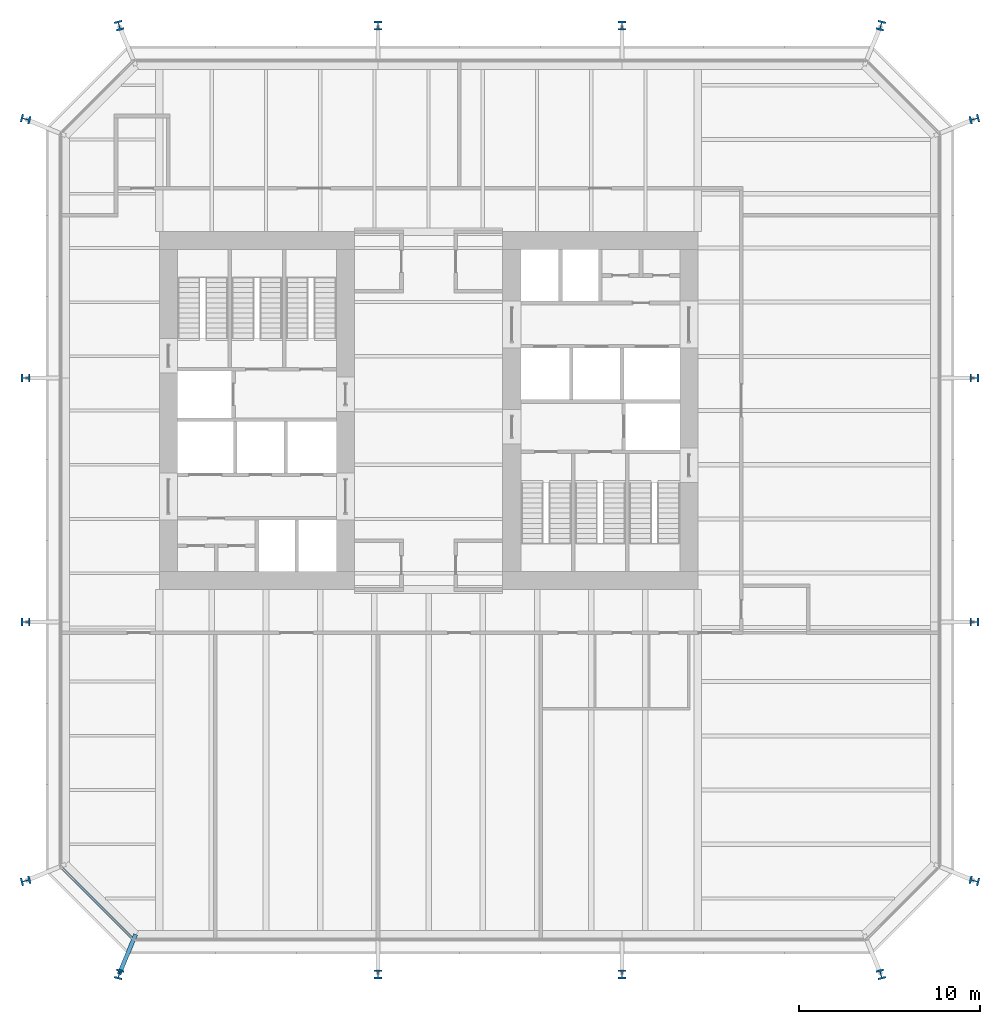
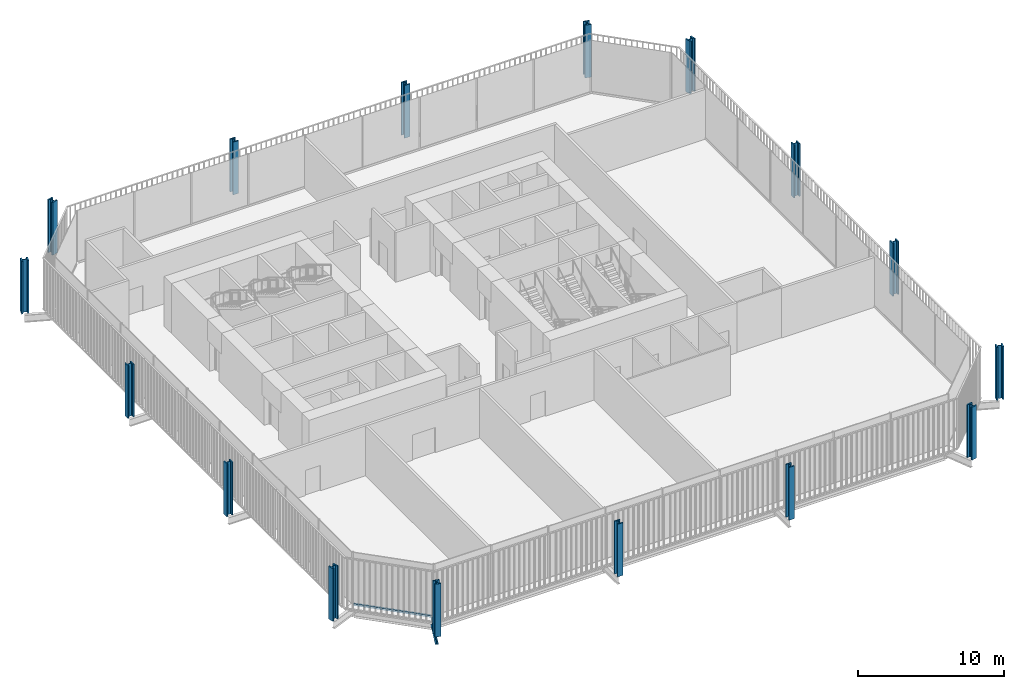
# One storey, part 1 of 20: 16 columns, 1 beam, 1 member, 1 element without a shape of its own.
"""IFC4 building model written with IfcOpenShell, lengths in metres."""

import ifcopenshell
import ifcopenshell.guid

model = None  # the IFC model being written
_history = None  # IfcOwnerHistory: only IFC2X3 demands one
_inside = {}  # id of a spatial element -> (the spatial element, [elements in it])
_under = {}  # id of a project, library or spatial element -> (it, [spatial elements below it])
_declared = {}  # id of a project -> (the project, [libraries it declares])
_typed = {}  # id of a type object -> (the type object, [elements of that type])
_made_of = {}  # id of a material, layer set ... -> (it, [elements and type objects made of it])


def new_model(schema):
    """Start an empty IFC model of exactly this schema.

    Asked for "IFC4X3", IfcOpenShell would pick the latest addendum, in which some entities
    have other attributes; the version numbers below select the first issue.
    IFC2X3 requires an IfcOwnerHistory on every rooted entity: one is made here for all.
    """
    global model, _history
    if schema == "IFC4X3":
        model = ifcopenshell.file(schema_version=(4, 3, 0, 0))
    else:
        model = ifcopenshell.file(schema=schema)
    _inside.clear()
    _under.clear()
    _declared.clear()
    _typed.clear()
    _made_of.clear()
    _history = None
    if model.schema == "IFC2X3":
        org = make("IfcOrganization", Name="unknown")
        user = make(
            "IfcPersonAndOrganization",
            ThePerson=make("IfcPerson", FamilyName="unknown"),
            TheOrganization=org,
        )
        app = make(
            "IfcApplication",
            ApplicationDeveloper=org,
            Version="unknown",
            ApplicationFullName="unknown",
            ApplicationIdentifier="unknown",
        )
        _history = make(
            "IfcOwnerHistory",
            OwningUser=user,
            OwningApplication=app,
            ChangeAction="ADDED",
            CreationDate=0,
        )
    return model


def make(cls, **values):
    """One entity of the class cls with the attributes given. An attribute that is None is left unset."""
    return model.create_entity(
        cls, **{name: value for name, value in values.items() if value is not None}
    )


def rooted(cls, **values):
    """An entity with a GlobalId (a new one), such as an element, a storey or a relation."""
    return make(cls, GlobalId=ifcopenshell.guid.new(), OwnerHistory=_history, **values)


def si_unit(unit_type, name, prefix=None):
    """IfcSIUnit, for example si_unit("LENGTHUNIT", "METRE", prefix="MILLI")."""
    return make("IfcSIUnit", UnitType=unit_type, Prefix=prefix, Name=name)


def assignment(units):
    """IfcUnitAssignment: the units of a project."""
    return None if units is None else make("IfcUnitAssignment", Units=units)


def point(xyz):
    """IfcCartesianPoint."""
    return None if xyz is None else make("IfcCartesianPoint", Coordinates=xyz)


def direction(xyz):
    """IfcDirection."""
    return None if xyz is None else make("IfcDirection", DirectionRatios=xyz)


def frame(location, z_axis=None, x_axis=None):
    """IfcAxis2Placement3D, a coordinate frame: its origin and axes. An axis left out is left unset."""
    return make(
        "IfcAxis2Placement3D",
        Location=point(location),
        Axis=direction(z_axis),
        RefDirection=direction(x_axis),
    )


def frame_2d(location, x_axis=None):
    """IfcAxis2Placement2D, a coordinate frame in the plane: its origin and x axis."""
    return make(
        "IfcAxis2Placement2D", Location=point(location), RefDirection=direction(x_axis)
    )


def origin():
    """The frame at (0, 0, 0) with its axes left unset."""
    return frame((0.0, 0.0, 0.0))


def origin_2d():
    """The frame at (0, 0) in the plane with its x axis left unset."""
    return frame_2d((0.0, 0.0))


def place(relative_to, where):
    """IfcLocalPlacement: puts the frame where relative to a parent placement (None: the world)."""
    return make(
        "IfcLocalPlacement", PlacementRelTo=relative_to, RelativePlacement=where
    )


def context(
    kind, dimensions, precision=None, world=None, true_north=None, identifier=None
):
    """IfcGeometricRepresentationContext, for example the 3D "Model" context."""
    return make(
        "IfcGeometricRepresentationContext",
        ContextIdentifier=identifier,
        ContextType=kind,
        CoordinateSpaceDimension=dimensions,
        Precision=precision,
        WorldCoordinateSystem=world,
        TrueNorth=true_north,
    )


def subcontext(parent, identifier, kind, view, scale=None):
    """IfcGeometricRepresentationSubContext, for example "Body" below "Model"."""
    return make(
        "IfcGeometricRepresentationSubContext",
        ContextIdentifier=identifier,
        ContextType=kind,
        ParentContext=parent,
        TargetScale=scale,
        TargetView=view,
    )


def project(units=None, contexts=None):
    """IfcProject with its units and contexts."""
    return rooted(
        "IfcProject",
        Name="project",
        RepresentationContexts=contexts,
        UnitsInContext=assignment(units),
    )


def spatial(cls, under=None, at=None, **own):
    """A site, building, storey or space (cls), placed at a placement, below another one or the project."""
    s = rooted(cls, ObjectPlacement=at, **own)
    if under is not None:
        _under.setdefault(under.id(), (under, []))[1].append(s)
    return s


def profile(cls, at=None, kind="AREA", **sizes):
    """A parametric profile (cls). Its sizes go by their IFC names, for example OverallWidth=200.0."""
    return make(cls, ProfileType=kind, Position=at, **sizes)


def rectangle(**sizes):
    """IfcRectangleProfileDef."""
    return profile("IfcRectangleProfileDef", **sizes)


def i_section(**sizes):
    """IfcIShapeProfileDef."""
    return profile("IfcIShapeProfileDef", **sizes)


def extrude(swept, where, along, depth):
    """IfcExtrudedAreaSolid: the profile swept, set in the frame where, extruded along a direction by depth."""
    return make(
        "IfcExtrudedAreaSolid",
        SweptArea=swept,
        Position=where,
        ExtrudedDirection=direction(along),
        Depth=depth,
    )


def shape(context_of_items, identifier, shape_type, items):
    """IfcShapeRepresentation: the items that make up one representation, for example the "Body"."""
    return make(
        "IfcShapeRepresentation",
        ContextOfItems=context_of_items,
        RepresentationIdentifier=identifier,
        RepresentationType=shape_type,
        Items=items,
    )


def material(Name=None, Category=None):
    """IfcMaterial."""
    return make("IfcMaterial", Name=Name, Category=Category)


def layer(
    of_material, thickness, ventilated=None, Name=None, Category=None, Priority=None
):
    """IfcMaterialLayer: one layer of a wall or slab, of a material (None: an air gap)."""
    return make(
        "IfcMaterialLayer",
        Material=of_material,
        LayerThickness=thickness,
        IsVentilated=ventilated,
        Name=Name,
        Category=Category,
        Priority=Priority,
    )


def layer_set(layers, Name=None):
    """IfcMaterialLayerSet."""
    return make("IfcMaterialLayerSet", MaterialLayers=layers, LayerSetName=Name)


def material_profile(
    of_material, cross_section, Name=None, Category=None, Priority=None
):
    """IfcMaterialProfile: a cross section and its material."""
    return make(
        "IfcMaterialProfile",
        Name=Name,
        Material=of_material,
        Profile=cross_section,
        Priority=Priority,
        Category=Category,
    )


def profile_set(profiles, Name=None, composite=None):
    """IfcMaterialProfileSet."""
    return make(
        "IfcMaterialProfileSet",
        Name=Name,
        MaterialProfiles=profiles,
        CompositeProfile=composite,
    )


def made_of(thing, what):
    """Note that an element or type object is made of a material, layer set ...; save() writes the relation."""
    if what is not None:
        _made_of.setdefault(what.id(), (what, []))[1].append(thing)
    return thing


def type_object(cls, material=None, **own):
    """A type object (cls), such as IfcWallType, which elements share."""
    return made_of(rooted(cls, **own), material)


def element(
    cls,
    number,
    at=None,
    inside=None,
    cuts=None,
    type_object=None,
    material=None,
    context=None,
    identifier="Body",
    shape_type=None,
    held_by="IfcProductDefinitionShape",
    body=None,
    shapes=None,
    **own,
):
    """One element of the class cls, such as IfcWall. Its Tag is "e" and its number.

    at: its placement. inside: the storey or other place that contains it. cuts: it is an
    opening in that element (IfcRelVoidsElement). A single representation is given by context,
    identifier, shape_type and body (its items); several are given by shapes. held_by: the class
    of the entity that holds the representations. save() writes the other relations.
    """
    e = rooted(cls, Tag="e%d" % number, ObjectPlacement=at, **own)
    if body is not None:
        shapes = [shape(context, identifier, shape_type, body)]
    if shapes is not None:
        e.Representation = make(held_by, Representations=shapes)
    if inside is not None:
        _inside.setdefault(inside.id(), (inside, []))[1].append(e)
    if cuts is not None:
        rooted(
            "IfcRelVoidsElement", RelatingBuildingElement=cuts, RelatedOpeningElement=e
        )
    if type_object is not None:
        _typed.setdefault(type_object.id(), (type_object, []))[1].append(e)
    return made_of(e, material)


def aggregate(whole, parts):
    """IfcRelAggregates: a whole, such as a stair, and the parts it consists of."""
    return rooted("IfcRelAggregates", RelatingObject=whole, RelatedObjects=parts)


def save(model, path):
    """Write the relations noted so far, then the file.

    IfcRelAggregates (storeys below a building ...), IfcRelContainedInSpatialStructure (elements
    in a storey), IfcRelDefinesByType, IfcRelAssociatesMaterial and IfcRelDeclares: one each for
    every whole, place, type object, material and project.
    """
    for whole, parts in _under.values():
        aggregate(whole, parts)
    for where, things in _inside.values():
        rooted(
            "IfcRelContainedInSpatialStructure",
            RelatedElements=things,
            RelatingStructure=where,
        )
    for kind, things in _typed.values():
        rooted("IfcRelDefinesByType", RelatedObjects=things, RelatingType=kind)
    for what, things in _made_of.values():
        rooted("IfcRelAssociatesMaterial", RelatedObjects=things, RelatingMaterial=what)
    for by, libraries in _declared.values():
        rooted("IfcRelDeclares", RelatingContext=by, RelatedDefinitions=libraries)
    model.write(path)


model = new_model("IFC4")

# Units and contexts
model_context = context("Model", 3, precision=1e-05, world=origin(), true_north=direction((0.0, 1.0)))
body_context = subcontext(model_context, "Body", "Model", "MODEL_VIEW")
ifc_project = project(units=[si_unit("LENGTHUNIT", "METRE"), si_unit("AREAUNIT", "SQUARE_METRE"), si_unit("VOLUMEUNIT", "CUBIC_METRE"), si_unit("PLANEANGLEUNIT", "RADIAN"), si_unit("MASSUNIT", "GRAM", prefix="KILO")], contexts=[model_context])

# Site, building, storey
site_placement = place(None, origin())
site = spatial("IfcSite", under=ifc_project, at=site_placement, CompositionType="ELEMENT")
building_placement = place(site_placement, origin())
building = spatial("IfcBuilding", under=site, at=building_placement, Name="Millrace Tower", CompositionType="ELEMENT")
storey_placement = place(building_placement, frame((0.0, 0.0, 108.39990234375)))
storey = spatial("IfcBuildingStorey", under=building, at=storey_placement, Name="L24", CompositionType="ELEMENT", Elevation=108.39990234375)

# Columns
ifc_material_1 = material(Name="Steel ASTM A913 Grade 65", Category="steel")
ifc_material_profile_1 = material_profile(ifc_material_1, i_section(OverallWidth=0.431884765625, OverallDepth=0.497802734375, WebThickness=0.0556640625, FlangeThickness=0.0888671875, FilletRadius=0.01513671875, at=origin_2d()))
ifc_profile_set_1 = profile_set([ifc_material_profile_1], Name="Steel ASTM A913 Grade 65")
column_type_1 = type_object("IfcColumnType", Name="Exoskeleton column W14x500", PredefinedType="COLUMN", material=ifc_profile_set_1)
for number, where, z_axis, x_axis, name in (
    (1, (-2.800048828125, -31.199951171875, 0.0), (0.0, 0.0, 1.0), (1.0, 0.0, 0.0), "COL-B-L24-X03"),
    (2, (10.699951171875, -31.199951171875, 0.0), (0.0, 0.0, 1.0), (1.0, 0.0, 0.0), "COL-B-L24-X04"),
    (3, (30.199951171875, -11.699951171875, 0.0), (0.0, 0.0, 1.0), (0.0, 1.0, 0.0), "COL-B-L24-X07"),
    (4, (30.199951171875, 1.800048828125, 0.0), (0.0, 0.0, 1.0), (0.0, 1.0, 0.0), "COL-B-L24-X08"),
    (5, (10.699951171875, 21.300048828125, 0.0), (0.0, 0.0, 1.0), (-1.0, 0.0, 0.0), "COL-B-L24-X11"),
    (6, (-2.800048828125, 21.300048828125, 0.0), (0.0, 0.0, 1.0), (-1.0, 0.0, 0.0), "COL-B-L24-X12"),
    (7, (-22.300048828125, 1.800048828125, 0.0), (0.0, 0.0, 1.0), (0.0, -1.0, 0.0), "COL-B-L24-X15"),
    (8, (-22.300048828125, -11.699951171875, 0.0), (0.0, 0.0, 1.0), (0.0, -1.0, 0.0), "COL-B-L24-X16"),
):
    element("IfcColumn", number, at=place(storey_placement, frame(where, z_axis=z_axis, x_axis=x_axis)), inside=storey, type_object=column_type_1, Name=name, PredefinedType="COLUMN", context=body_context, shape_type="SweptSolid", body=[
        extrude(i_section(OverallWidth=0.431884765625, OverallDepth=0.497802734375, WebThickness=0.0556640625, FlangeThickness=0.0888671875, FilletRadius=0.01513671875, at=origin_2d()), origin(), (0.0, 0.0, 1.0), 4.400146484375),
    ])
ifc_material_2 = material(Name="Steel ASTM A913 Grade 65", Category="steel")
ifc_material_profile_2 = material_profile(ifc_material_2, i_section(OverallWidth=0.44189453125, OverallDepth=0.53076171875, WebThickness=0.06591796875, FlangeThickness=0.105712890625, FilletRadius=0.01513671875, at=origin_2d()))
ifc_profile_set_2 = profile_set([ifc_material_profile_2], Name="Steel ASTM A913 Grade 65")
column_type_2 = type_object("IfcColumnType", Name="Exoskeleton column W14x605", PredefinedType="COLUMN", material=ifc_profile_set_2)
for number, where, z_axis, x_axis, name in (
    (9, (-22.300048828125, -26.0283203125, 0.0), (0.0, 0.0, 1.0), (0.256346878353, -0.966584852953, 0.0), "COL-B-L24-X01"),
    (10, (-17.12841796875, -31.199951171875, 0.0), (0.0, 0.0, 1.0), (0.966584852953, -0.256346878353, 0.0), "COL-B-L24-X02"),
    (11, (25.0283203125, -31.199951171875, 0.0), (0.0, 0.0, 1.0), (0.966584852953, 0.256346878353, 0.0), "COL-B-L24-X05"),
    (12, (30.199951171875, -26.0283203125, 0.0), (0.0, 0.0, 1.0), (0.256346878353, 0.966584852953, 0.0), "COL-B-L24-X06"),
    (13, (30.199951171875, 16.12841796875, 0.0), (0.0, 0.0, 1.0), (-0.256346878353, 0.966584852953, 0.0), "COL-B-L24-X09"),
    (14, (25.0283203125, 21.300048828125, 0.0), (0.0, 0.0, 1.0), (-0.966584852953, 0.256346878353, 0.0), "COL-B-L24-X10"),
    (15, (-17.12841796875, 21.300048828125, 0.0), (0.0, 0.0, 1.0), (-0.966584852953, -0.256346878353, 0.0), "COL-B-L24-X13"),
    (16, (-22.300048828125, 16.12841796875, 0.0), (0.0, 0.0, 1.0), (-0.256346878353, -0.966584852953, 0.0), "COL-B-L24-X14"),
):
    element("IfcColumn", number, at=place(storey_placement, frame(where, z_axis=z_axis, x_axis=x_axis)), inside=storey, type_object=column_type_2, Name=name, PredefinedType="COLUMN", context=body_context, shape_type="SweptSolid", body=[
        extrude(i_section(OverallWidth=0.44189453125, OverallDepth=0.53076171875, WebThickness=0.06591796875, FlangeThickness=0.105712890625, FilletRadius=0.01513671875, at=origin_2d()), origin(), (0.0, 0.0, 1.0), 4.400146484375),
    ])

# Curtain wall, member
ifc_material_3 = material(Name="Aluminium and glass", Category="aluminium")
ifc_layer = layer(ifc_material_3, 0.14990234375)
ifc_layer_set = layer_set([ifc_layer], Name="Aluminium and glass")
curtain_wall_type = type_object("IfcCurtainWallType", Name="CW-3 telecom floor curtain wall", PredefinedType="NOTDEFINED", material=ifc_layer_set)
curtain_wall_placement = place(storey_placement, origin())
curtain_wall = element("IfcCurtainWall", 17, at=curtain_wall_placement, inside=storey, type_object=curtain_wall_type, Name="Curtain wall B-F01 L24", PredefinedType="NOTDEFINED")
ifc_material_4 = material(Name="Aluminium", Category="aluminium")
ifc_material_profile_3 = material_profile(ifc_material_4, rectangle(XDim=0.14990234375, YDim=0.14990234375, at=origin_2d()))
ifc_profile_set_3 = profile_set([ifc_material_profile_3], Name="Aluminium")
member_type = type_object("IfcMemberType", Name="CW-3 telecom floor curtain wall transom", PredefinedType="USERDEFINED", material=ifc_profile_set_3)
member_placement = place(storey_placement, frame((-20.2822265625, -25.32373046875, 0.0751953125), z_axis=(0.707084410407, -0.707129151258, 0.0), x_axis=(0.707129151258, 0.707084410407, 0.0)))
member = element("IfcMember", 18, at=member_placement, type_object=member_type, Name="CW3 transom B-F01.1", ObjectType="TRANSOM", PredefinedType="USERDEFINED", context=body_context, shape_type="SweptSolid", body=[
    extrude(rectangle(XDim=0.14990234375, YDim=0.14990234375, at=origin_2d()), origin(), (0.0, 0.0, 1.0), 5.456787109375),
])
aggregate(curtain_wall, [member])

# Beam
ifc_material_5 = material(Name="Steel ASTM A992 Grade 50", Category="steel")
ifc_material_profile_4 = material_profile(ifc_material_5, i_section(OverallWidth=0.23046875, OverallDepth=0.6171875, WebThickness=0.01318359375, FlangeThickness=0.022216796875, FilletRadius=0.012939453125, at=origin_2d()))
ifc_profile_set_4 = profile_set([ifc_material_profile_4], Name="Steel ASTM A992 Grade 50")
beam_type = type_object("IfcBeamType", Name="Link beam W24x94", PredefinedType="BEAM", material=ifc_profile_set_4)
beam_placement = place(storey_placement, frame((-16.213134765625, -28.990478515625, -0.508544921875), z_axis=(-0.382715433277, -0.92386627665, 0.0), x_axis=(0.92386627665, -0.382715433277, 0.0)))
element("IfcBeam", 19, at=beam_placement, inside=storey, type_object=beam_type, Name="LNK-B-L24-S1-16", PredefinedType="BEAM", context=body_context, shape_type="SweptSolid", body=[
    extrude(i_section(OverallWidth=0.23046875, OverallDepth=0.6171875, WebThickness=0.01318359375, FlangeThickness=0.022216796875, FilletRadius=0.012939453125, at=origin_2d()), origin(), (0.0, 0.0, 1.0), 2.3916015625),
])

save(model, "model.ifc")
